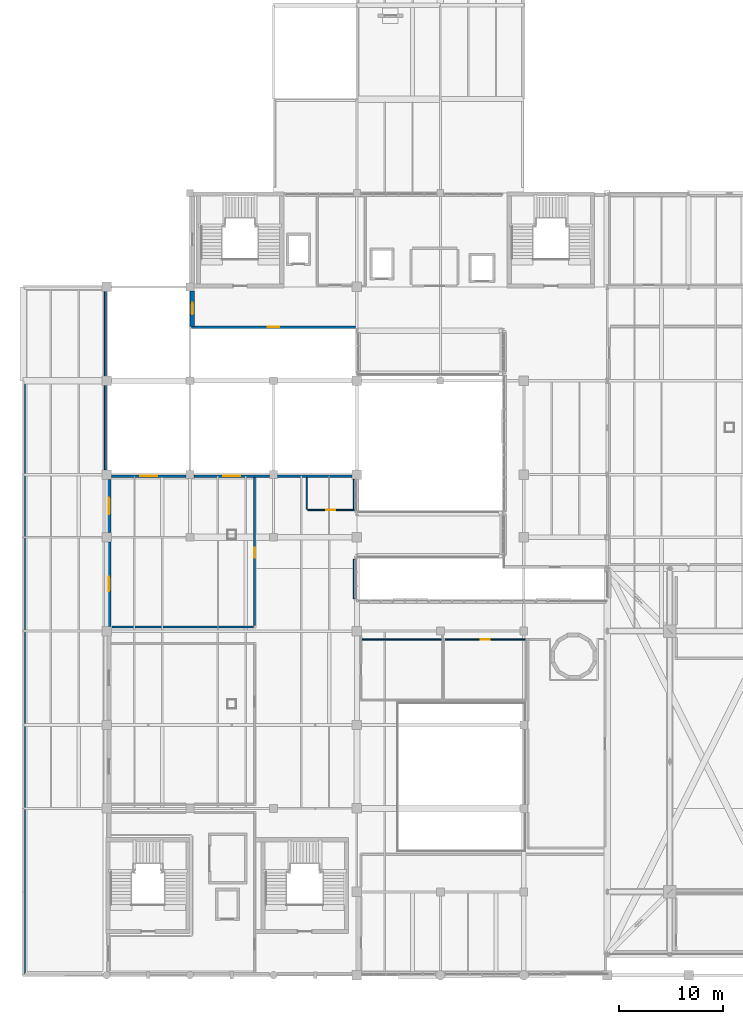
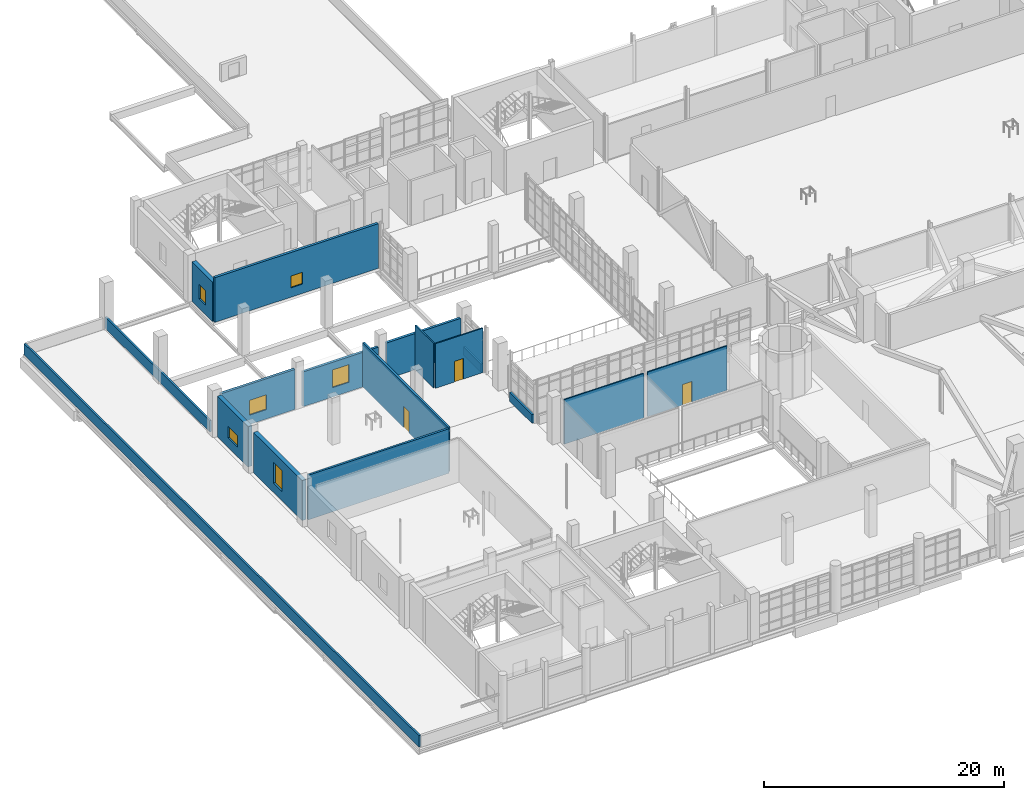
# One storey, part 111 of 127: 17 walls, 6 windows, 3 doors, 9 openings.
"""IFC4 building model written with IfcOpenShell, lengths in metres."""

from ifc_helpers import new_model, si_unit, derived_unit, direction, frame, frame_2d, origin, place, context, subcontext, project, spatial, rectangle, extrude, material, layer, layer_set, type_object, element, fill, save


model = new_model("IFC4")

# Units and contexts
model_context = context("Model", 3, precision=1e-05, world=origin(), true_north=direction((0.0, 1.0)))
body_context = subcontext(model_context, "Body", "Model", "MODEL_VIEW")
ifc_project = project(units=[si_unit("LENGTHUNIT", "METRE"), si_unit("AREAUNIT", "SQUARE_METRE"), si_unit("VOLUMEUNIT", "CUBIC_METRE"), si_unit("PLANEANGLEUNIT", "RADIAN"), si_unit("MASSUNIT", "GRAM", prefix="KILO"), derived_unit("THERMALTRANSMITTANCEUNIT", [(si_unit("POWERUNIT", "WATT"), 1), (si_unit("LENGTHUNIT", "METRE"), -2), (si_unit("THERMODYNAMICTEMPERATUREUNIT", "KELVIN"), -1)])], contexts=[model_context])

# Site, building, storey
site_placement = place(None, origin())
site = spatial("IfcSite", under=ifc_project, at=site_placement, CompositionType="ELEMENT")
building_placement = place(site_placement, origin())
building = spatial("IfcBuilding", under=site, at=building_placement, Name="Nallur Shell Playhouse", CompositionType="ELEMENT")
storey_placement = place(building_placement, frame((0.0, 0.0, 5.39990234375)))
storey = spatial("IfcBuildingStorey", under=building, at=storey_placement, Name="L02", CompositionType="ELEMENT", Elevation=5.39990234375)

# Wall, opening, window
ifc_material_1 = material(Name="Precast concrete M40", Category="concrete")
ifc_layer_1 = layer(ifc_material_1, 0.239990234375)
ifc_layer_set_1 = layer_set([ifc_layer_1], Name="Precast concrete M40")
wall_type_1 = type_object("IfcWallType", Name="WL-EXT-CLAD240", PredefinedType="ELEMENTEDWALL", material=ifc_layer_set_1)
wall_1_placement = place(storey_placement, frame((39.866943359375, 70.139892578125, 0.0), z_axis=(0.0, 0.0, 1.0), x_axis=(-1.0, 0.0, 0.0)))
wall_1 = element("IfcWall", 1, at=wall_1_placement, inside=storey, type_object=wall_type_1, Name="L02 exterior wall EW-L02-088", PredefinedType="ELEMENTEDWALL", context=body_context, shape_type="SweptSolid", body=[
    extrude(rectangle(XDim=15.737060546875, YDim=0.239990234375, at=frame_2d((7.86865234375, 0.0))), origin(), (0.0, 0.0, 1.0), 4.5400390625),
])
opening_1_placement = place(wall_1_placement, frame((7.318115234375, 0.0, 0.949951171875)))
opening_1 = element("IfcOpeningElement", 2, at=opening_1_placement, cuts=wall_1, Name="Opening WN-05", PredefinedType="OPENING", context=body_context, shape_type="SweptSolid", body=[
    extrude(rectangle(XDim=1.10009765625, YDim=1.199951171875, at=frame_2d((0.550048828125, 0.60009765625))), frame((0.0, 0.1298828125, 0.0), z_axis=(0.0, -1.0, 0.0), x_axis=(1.0, 0.0, 0.0)), (0.0, 0.0, 1.0), 0.260009765625),
])
ifc_material_2 = material(Name="Thermally Broken Aluminium Acoustic Double-Glazed Window", Category="aluminium")
window_type_1 = type_object("IfcWindowType", Name="WN-TYPE-05", PartitioningType="SINGLE_PANEL", PredefinedType="WINDOW", material=ifc_material_2)
window_1_placement = place(opening_1_placement, origin())
window_1 = element("IfcWindow", 3, at=window_1_placement, inside=storey, type_object=window_type_1, Name="L02 facade module window 037", OverallHeight=1.199951171875, OverallWidth=1.10009765625, PartitioningType="SINGLE_PANEL", PredefinedType="WINDOW", context=body_context, shape_type="SweptSolid", body=[
    extrude(rectangle(XDim=1.10009765625, YDim=1.199951171875, at=frame_2d((0.550048828125, 0.60009765625))), frame((0.0, 0.030029296875, 0.0), z_axis=(0.0, -1.0, 0.0), x_axis=(1.0, 0.0, 0.0)), (0.0, 0.0, 1.0), 0.06005859375),
])
fill(opening_1, window_1)

wall_2_placement = place(storey_placement, frame((16.4580078125, 55.860107421875, 0.0), z_axis=(0.0, 0.0, 1.0), x_axis=(1.0, 0.0, 0.0)))
wall_2 = element("IfcWall", 4, at=wall_2_placement, inside=storey, type_object=wall_type_1, Name="L02 exterior wall EW-L02-124", PredefinedType="ELEMENTEDWALL", context=body_context, shape_type="SweptSolid", body=[
    extrude(rectangle(XDim=7.158935546875, YDim=0.239990234375, at=frame_2d((3.57958984375, 0.0))), origin(), (0.0, 0.0, 1.0), 4.0751953125),
])
opening_2_placement = place(wall_2_placement, frame((2.780029296875, 0.0, 0.949951171875)))
opening_2 = element("IfcOpeningElement", 5, at=opening_2_placement, cuts=wall_2, Name="Opening WN-18", PredefinedType="OPENING", context=body_context, shape_type="SweptSolid", body=[
    extrude(rectangle(XDim=1.60009765625, YDim=1.5, at=frame_2d((0.800048828125, 0.75))), frame((0.0, 0.1298828125, 0.0), z_axis=(0.0, -1.0, 0.0), x_axis=(1.0, 0.0, 0.0)), (0.0, 0.0, 1.0), 0.260009765625),
])
window_type_2 = type_object("IfcWindowType", Name="WN-TYPE-18", PartitioningType="SINGLE_PANEL", PredefinedType="WINDOW", material=ifc_material_2)
window_2_placement = place(opening_2_placement, origin())
window_2 = element("IfcWindow", 6, at=window_2_placement, inside=storey, type_object=window_type_2, Name="L02 facade module window 050", OverallHeight=1.5, OverallWidth=1.60009765625, PartitioningType="SINGLE_PANEL", PredefinedType="WINDOW", context=body_context, shape_type="SweptSolid", body=[
    extrude(rectangle(XDim=1.60009765625, YDim=1.5, at=frame_2d((0.800048828125, 0.75))), frame((0.0, 0.030029296875, 0.0), z_axis=(0.0, -1.0, 0.0), x_axis=(1.0, 0.0, 0.0)), (0.0, 0.0, 1.0), 0.06005859375),
])
fill(opening_2, window_2)

wall_3_placement = place(storey_placement, frame((24.383056640625, 55.860107421875, 0.0), z_axis=(0.0, 0.0, 1.0), x_axis=(1.0, 0.0, 0.0)))
wall_3 = element("IfcWall", 7, at=wall_3_placement, inside=storey, type_object=wall_type_1, Name="L02 exterior wall EW-L02-125", PredefinedType="ELEMENTEDWALL", context=body_context, shape_type="SweptSolid", body=[
    extrude(rectangle(XDim=7.23388671875, YDim=0.239990234375, at=frame_2d((3.616943359375, 0.0))), origin(), (0.0, 0.0, 1.0), 3.525146484375),
])
opening_3_placement = place(wall_3_placement, frame((2.81689453125, 0.0, 0.949951171875)))
opening_3 = element("IfcOpeningElement", 8, at=opening_3_placement, cuts=wall_3, Name="Opening WN-19", PredefinedType="OPENING", context=body_context, shape_type="SweptSolid", body=[
    extrude(rectangle(XDim=1.60009765625, YDim=1.800048828125, at=frame_2d((0.800048828125, 0.89990234375))), frame((0.0, 0.1298828125, 0.0), z_axis=(0.0, -1.0, 0.0), x_axis=(1.0, 0.0, 0.0)), (0.0, 0.0, 1.0), 0.260009765625),
])
window_type_3 = type_object("IfcWindowType", Name="WN-TYPE-19", PartitioningType="SINGLE_PANEL", PredefinedType="WINDOW", material=ifc_material_2)
window_3_placement = place(opening_3_placement, origin())
window_3 = element("IfcWindow", 9, at=window_3_placement, inside=storey, type_object=window_type_3, Name="L02 facade module window 051", OverallHeight=1.800048828125, OverallWidth=1.60009765625, PartitioningType="SINGLE_PANEL", PredefinedType="WINDOW", context=body_context, shape_type="SweptSolid", body=[
    extrude(rectangle(XDim=1.60009765625, YDim=1.800048828125, at=frame_2d((0.800048828125, 0.89990234375))), frame((0.0, 0.030029296875, 0.0), z_axis=(0.0, -1.0, 0.0), x_axis=(1.0, 0.0, 0.0)), (0.0, 0.0, 1.0), 0.06005859375),
])
fill(opening_3, window_3)

# Wall
wall_4_placement = place(storey_placement, frame((32.383056640625, 55.860107421875, 0.0), z_axis=(0.0, 0.0, 1.0), x_axis=(1.0, 0.0, 0.0)))
element("IfcWall", 10, at=wall_4_placement, inside=storey, type_object=wall_type_1, Name="L02 exterior wall EW-L02-126", PredefinedType="ELEMENTEDWALL", context=body_context, shape_type="SweptSolid", body=[
    extrude(rectangle(XDim=7.158935546875, YDim=0.239990234375, at=frame_2d((3.57958984375, 0.0))), origin(), (0.0, 0.0, 1.0), 3.675048828125),
])

# Wall, opening, window
ifc_material_3 = material(Name="Concrete M40", Category="concrete")
ifc_layer_2 = layer(ifc_material_3, 0.39990234375)
ifc_layer_set_2 = layer_set([ifc_layer_2], Name="Concrete M40")
wall_type_2 = type_object("IfcWallType", Name="WL-EXT-RC400", PredefinedType="STANDARD", material=ifc_layer_set_2)
wall_5_placement = place(storey_placement, frame((24.219970703125, 70.2099609375, 0.0), z_axis=(0.0, 0.0, 1.0), x_axis=(0.0, 1.0, 0.0)))
wall_5 = element("IfcWall", 11, at=wall_5_placement, inside=storey, type_object=wall_type_2, Name="L02 exterior wall EW-L02-089", PredefinedType="STANDARD", context=body_context, shape_type="SweptSolid", body=[
    extrude(rectangle(XDim=3.406982421875, YDim=0.39990234375, at=frame_2d((1.70361328125, 0.0))), origin(), (0.0, 0.0, 1.0), 4.025146484375),
])
opening_4_placement = place(wall_5_placement, frame((1.154052734375, 0.0, 0.949951171875)))
opening_4 = element("IfcOpeningElement", 12, at=opening_4_placement, cuts=wall_5, Name="Opening WN-06", PredefinedType="OPENING", context=body_context, shape_type="SweptSolid", body=[
    extrude(rectangle(XDim=1.10009765625, YDim=1.5, at=frame_2d((0.550048828125, 0.75))), frame((0.0, 0.2099609375, 0.0), z_axis=(0.0, -1.0, 0.0), x_axis=(1.0, 0.0, 0.0)), (0.0, 0.0, 1.0), 0.419921875),
])
window_type_4 = type_object("IfcWindowType", Name="WN-TYPE-06", PartitioningType="SINGLE_PANEL", PredefinedType="WINDOW", material=ifc_material_2)
window_4_placement = place(opening_4_placement, origin())
window_4 = element("IfcWindow", 13, at=window_4_placement, inside=storey, type_object=window_type_4, Name="L02 facade module window 038", OverallHeight=1.5, OverallWidth=1.10009765625, PartitioningType="SINGLE_PANEL", PredefinedType="WINDOW", context=body_context, shape_type="SweptSolid", body=[
    extrude(rectangle(XDim=1.10009765625, YDim=1.5, at=frame_2d((0.550048828125, 0.75))), frame((0.0, 0.030029296875, 0.0), z_axis=(0.0, -1.0, 0.0), x_axis=(1.0, 0.0, 0.0)), (0.0, 0.0, 1.0), 0.06005859375),
])
fill(opening_4, window_4)

wall_6_placement = place(storey_placement, frame((16.219970703125, 41.4580078125, 0.0), z_axis=(0.0, 0.0, 1.0), x_axis=(0.0, 1.0, 0.0)))
wall_6 = element("IfcWall", 14, at=wall_6_placement, inside=storey, type_object=wall_type_2, Name="L02 exterior wall EW-L02-122", PredefinedType="STANDARD", context=body_context, shape_type="SweptSolid", body=[
    extrude(rectangle(XDim=8.083984375, YDim=0.39990234375, at=frame_2d((4.0419921875, 0.0))), origin(), (0.0, 0.0, 1.0), 4.0751953125),
])
opening_5_placement = place(wall_6_placement, frame((3.342041015625, 0.0, 0.949951171875)))
opening_5 = element("IfcOpeningElement", 15, at=opening_5_placement, cuts=wall_6, Name="Opening WN-16", PredefinedType="OPENING", context=body_context, shape_type="SweptSolid", body=[
    extrude(rectangle(XDim=1.39990234375, YDim=2.10009765625, at=frame_2d((0.699951171875, 1.050048828125))), frame((0.0, 0.2099609375, 0.0), z_axis=(0.0, -1.0, 0.0), x_axis=(1.0, 0.0, 0.0)), (0.0, 0.0, 1.0), 0.419921875),
])
window_type_5 = type_object("IfcWindowType", Name="WN-TYPE-16", PartitioningType="SINGLE_PANEL", PredefinedType="WINDOW", material=ifc_material_2)
window_5_placement = place(opening_5_placement, origin())
window_5 = element("IfcWindow", 16, at=window_5_placement, inside=storey, type_object=window_type_5, Name="L02 facade module window 048", OverallHeight=2.10009765625, OverallWidth=1.39990234375, PartitioningType="SINGLE_PANEL", PredefinedType="WINDOW", context=body_context, shape_type="SweptSolid", body=[
    extrude(rectangle(XDim=1.39990234375, YDim=2.10009765625, at=frame_2d((0.699951171875, 1.050048828125))), frame((0.0, 0.030029296875, 0.0), z_axis=(0.0, -1.0, 0.0), x_axis=(1.0, 0.0, 0.0)), (0.0, 0.0, 1.0), 0.06005859375),
])
fill(opening_5, window_5)

wall_7_placement = place(storey_placement, frame((16.219970703125, 50.4580078125, 0.0), z_axis=(0.0, 0.0, 1.0), x_axis=(0.0, 1.0, 0.0)))
wall_7 = element("IfcWall", 17, at=wall_7_placement, inside=storey, type_object=wall_type_2, Name="L02 exterior wall EW-L02-123", PredefinedType="STANDARD", context=body_context, shape_type="SweptSolid", body=[
    extrude(rectangle(XDim=5.083984375, YDim=0.39990234375, at=frame_2d((2.5419921875, 0.0))), origin(), (0.0, 0.0, 1.0), 4.125),
])
opening_6_placement = place(wall_7_placement, frame((1.741943359375, 0.0, 0.949951171875)))
opening_6 = element("IfcOpeningElement", 18, at=opening_6_placement, cuts=wall_7, Name="Opening WN-17", PredefinedType="OPENING", context=body_context, shape_type="SweptSolid", body=[
    extrude(rectangle(XDim=1.60009765625, YDim=1.199951171875, at=frame_2d((0.800048828125, 0.60009765625))), frame((0.0, 0.2099609375, 0.0), z_axis=(0.0, -1.0, 0.0), x_axis=(1.0, 0.0, 0.0)), (0.0, 0.0, 1.0), 0.419921875),
])
window_type_6 = type_object("IfcWindowType", Name="WN-TYPE-17", PartitioningType="SINGLE_PANEL", PredefinedType="WINDOW", material=ifc_material_2)
window_6_placement = place(opening_6_placement, origin())
window_6 = element("IfcWindow", 19, at=window_6_placement, inside=storey, type_object=window_type_6, Name="L02 facade module window 049", OverallHeight=1.199951171875, OverallWidth=1.60009765625, PartitioningType="SINGLE_PANEL", PredefinedType="WINDOW", context=body_context, shape_type="SweptSolid", body=[
    extrude(rectangle(XDim=1.60009765625, YDim=1.199951171875, at=frame_2d((0.800048828125, 0.60009765625))), frame((0.0, 0.030029296875, 0.0), z_axis=(0.0, -1.0, 0.0), x_axis=(1.0, 0.0, 0.0)), (0.0, 0.0, 1.0), 0.06005859375),
])
fill(opening_6, window_6)

# Walls
ifc_material_4 = material(Name="Concrete M35", Category="concrete")
ifc_layer_3 = layer(ifc_material_4, 0.179931640625)
ifc_layer_set_3 = layer_set([ifc_layer_3], Name="Concrete M35")
wall_type_3 = type_object("IfcWallType", Name="WL-PARAPET-180", PredefinedType="PARAPET", material=ifc_layer_set_3)
wall_8_placement = place(storey_placement, frame((39.760009765625, 47.8798828125, 0.0), z_axis=(0.0, 0.0, 1.0), x_axis=(0.0, -1.0, 0.0)))
element("IfcWall", 20, at=wall_8_placement, inside=storey, type_object=wall_type_3, Name="L02 curtain-wall internal spandrel upstand 003", PredefinedType="PARAPET", context=body_context, shape_type="SweptSolid", body=[
    extrude(rectangle(XDim=3.759765625, YDim=0.179931640625, at=frame_2d((1.8798828125, 0.0))), origin(), (0.0, 0.0, 1.0), 0.880126953125),
])
wall_9_placement = place(storey_placement, frame((39.760009765625, 55.5400390625, 0.0), z_axis=(0.0, 0.0, 1.0), x_axis=(0.0, -1.0, 0.0)))
element("IfcWall", 21, at=wall_9_placement, inside=storey, type_object=wall_type_3, Name="L02 curtain-wall internal spandrel upstand 024", PredefinedType="PARAPET", context=body_context, shape_type="SweptSolid", body=[
    extrude(rectangle(XDim=2.919921875, YDim=0.179931640625, at=frame_2d((1.4599609375, 0.0))), origin(), (0.0, 0.0, 1.0), 0.880126953125),
])
wall_10_placement = place(storey_placement, frame((8.110107421875, 8.1298828125, 0.0), z_axis=(0.0, 0.0, 1.0), x_axis=(0.0, 1.0, 0.0)))
element("IfcWall", 22, at=wall_10_placement, inside=storey, type_object=wall_type_3, Name="L02 concrete roof parapet PAR-007", PredefinedType="PARAPET", context=body_context, shape_type="SweptSolid", body=[
    extrude(rectangle(XDim=65.740234375, YDim=0.179931640625, at=frame_2d((32.8701171875, 0.0))), origin(), (0.0, 0.0, 1.0), 1.150146484375),
])
wall_11_placement = place(storey_placement, frame((15.889892578125, 73.8701171875, 0.0), z_axis=(0.0, 0.0, 1.0), x_axis=(0.0, -1.0, 0.0)))
element("IfcWall", 23, at=wall_11_placement, inside=storey, type_object=wall_type_3, Name="L02 concrete roof parapet PAR-009", PredefinedType="PARAPET", context=body_context, shape_type="SweptSolid", body=[
    extrude(rectangle(XDim=17.434326171875, YDim=0.179931640625, at=frame_2d((8.71728515625, 0.0))), origin(), (0.0, 0.0, 1.0), 1.150146484375),
])

# Wall, opening, door
ifc_material_5 = material(Name="Concrete M30", Category="concrete")
ifc_layer_4 = layer(ifc_material_5, 0.199951171875)
ifc_layer_set_4 = layer_set([ifc_layer_4], Name="Concrete M30")
wall_type_4 = type_object("IfcWallType", Name="WL-PART-AC200", PredefinedType="PARTITIONING", material=ifc_layer_set_4)
wall_12_placement = place(storey_placement, frame((30.199951171875, 55.736083984375, 0.0), z_axis=(0.0, 0.0, 1.0), x_axis=(0.0, -1.0, 0.0)))
wall_12 = element("IfcWall", 24, at=wall_12_placement, inside=storey, type_object=wall_type_4, Name="Ensemble Chorus Dressing Room B partition IW-L02-0164", PredefinedType="PARTITIONING", context=body_context, shape_type="SweptSolid", body=[
    extrude(rectangle(XDim=14.216064453125, YDim=0.199951171875, at=frame_2d((7.10791015625, 0.0))), origin(), (0.0, 0.0, 1.0), 4.530029296875),
])
opening_7_placement = place(wall_12_placement, frame((6.760986328125, 0.0, 0.0)))
opening_7 = element("IfcOpeningElement", 25, at=opening_7_placement, cuts=wall_12, Name="Opening ID-04", PredefinedType="OPENING", context=body_context, shape_type="SweptSolid", body=[
    extrude(rectangle(XDim=0.949951171875, YDim=2.14990234375, at=frame_2d((0.47509765625, 1.074951171875))), frame((0.0, 0.10986328125, 0.0), z_axis=(0.0, -1.0, 0.0), x_axis=(1.0, 0.0, 0.0)), (0.0, 0.0, 1.0), 0.219970703125),
])
ifc_material_6 = material(Name="Solid-Core Engineered Timber Door", Category="wood")
door_type_1 = type_object("IfcDoorType", Name="DR-INT-SGL950R", OperationType="SINGLE_SWING_RIGHT", PredefinedType="DOOR", material=ifc_material_6)
door_1_placement = place(opening_7_placement, origin())
door_1 = element("IfcDoor", 26, at=door_1_placement, inside=storey, type_object=door_type_1, Name="Ensemble Chorus Dressing Room B door 1", OperationType="SINGLE_SWING_RIGHT", OverallHeight=2.14990234375, OverallWidth=0.949951171875, PredefinedType="DOOR", context=body_context, shape_type="SweptSolid", body=[
    extrude(rectangle(XDim=0.949951171875, YDim=2.14990234375, at=frame_2d((0.47509765625, 1.074951171875))), frame((0.0, 0.02490234375, 0.0), z_axis=(0.0, -1.0, 0.0), x_axis=(1.0, 0.0, 0.0)), (0.0, 0.0, 1.0), 0.050048828125),
])
fill(opening_7, door_1)

# Walls
wall_13_placement = place(storey_placement, frame((30.080078125, 41.39990234375, 0.0), z_axis=(0.0, 0.0, 1.0), x_axis=(-1.0, 0.0, 0.0)))
element("IfcWall", 27, at=wall_13_placement, inside=storey, type_object=wall_type_4, Name="Ensemble Chorus Dressing Room B partition IW-L02-0165", PredefinedType="PARTITIONING", context=body_context, shape_type="SweptSolid", body=[
    extrude(rectangle(XDim=13.56005859375, YDim=0.199951171875, at=frame_2d((6.780029296875, 0.0))), origin(), (0.0, 0.0, 1.0), 4.530029296875),
])
ifc_material_7 = material(Name="Concrete M25 Fire Blockwork", Category="masonry")
ifc_layer_5 = layer(ifc_material_7, 0.1201171875)
ifc_layer_set_5 = layer_set([ifc_layer_5], Name="Concrete M25 Fire Blockwork")
wall_type_5 = type_object("IfcWallType", Name="WL-PART-WET120", PredefinedType="PARTITIONING", material=ifc_layer_set_5)
wall_14_placement = place(storey_placement, frame((40.47998046875, 40.199951171875, 0.0), z_axis=(0.0, 0.0, 1.0), x_axis=(1.0, 0.0, 0.0)))
element("IfcWall", 28, at=wall_14_placement, inside=storey, type_object=wall_type_5, Name="Stalls Level Male Restroom partition IW-L02-0189", PredefinedType="PARTITIONING", context=body_context, shape_type="SweptSolid", body=[
    extrude(rectangle(XDim=7.64013671875, YDim=0.1201171875, at=frame_2d((3.820068359375, 0.0))), origin(), (0.0, 0.0, 1.0), 4.530029296875),
])

# Wall, opening, door
wall_15_placement = place(storey_placement, frame((48.47998046875, 40.199951171875, 0.0), z_axis=(0.0, 0.0, 1.0), x_axis=(1.0, 0.0, 0.0)))
wall_15 = element("IfcWall", 29, at=wall_15_placement, inside=storey, type_object=wall_type_5, Name="Stalls Level Female Restroom partition IW-L02-0193", PredefinedType="PARTITIONING", context=body_context, shape_type="SweptSolid", body=[
    extrude(rectangle(XDim=7.64013671875, YDim=0.1201171875, at=frame_2d((3.820068359375, 0.0))), origin(), (0.0, 0.0, 1.0), 4.530029296875),
])
opening_8_placement = place(wall_15_placement, frame((3.3798828125, 0.0, 0.0)))
opening_8 = element("IfcOpeningElement", 30, at=opening_8_placement, cuts=wall_15, Name="Opening WD-01", PredefinedType="OPENING", context=body_context, shape_type="SweptSolid", body=[
    extrude(rectangle(XDim=0.8798828125, YDim=2.10009765625, at=frame_2d((0.43994140625, 1.050048828125))), frame((0.0, 0.070068359375, 0.0), z_axis=(0.0, -1.0, 0.0), x_axis=(1.0, 0.0, 0.0)), (0.0, 0.0, 1.0), 0.14013671875),
])
ifc_material_8 = material(Name="Moisture-Resistant Laminate Restroom Door")
door_type_2 = type_object("IfcDoorType", Name="DR-INT-WC880L", OperationType="SINGLE_SWING_LEFT", PredefinedType="DOOR", material=ifc_material_8)
door_2_placement = place(opening_8_placement, origin())
door_2 = element("IfcDoor", 31, at=door_2_placement, inside=storey, type_object=door_type_2, Name="Stalls Level Female Restroom door 1", OperationType="SINGLE_SWING_LEFT", OverallHeight=2.10009765625, OverallWidth=0.8798828125, PredefinedType="DOOR", context=body_context, shape_type="SweptSolid", body=[
    extrude(rectangle(XDim=0.8798828125, YDim=2.10009765625, at=frame_2d((0.43994140625, 1.050048828125))), frame((0.0, 0.02490234375, 0.0), z_axis=(0.0, -1.0, 0.0), x_axis=(1.0, 0.0, 0.0)), (0.0, 0.0, 1.0), 0.050048828125),
])
fill(opening_8, door_2)

wall_16_placement = place(storey_placement, frame((39.825927734375, 52.60009765625, 0.0), z_axis=(0.0, 0.0, 1.0), x_axis=(-1.0, 0.0, 0.0)))
wall_16 = element("IfcWall", 32, at=wall_16_placement, inside=storey, type_object=wall_type_5, Name="Stalls Level Accessible Restroom partition IW-L02-0195", PredefinedType="PARTITIONING", context=body_context, shape_type="SweptSolid", body=[
    extrude(rectangle(XDim=4.5458984375, YDim=0.1201171875, at=frame_2d((2.27294921875, 0.0))), origin(), (0.0, 0.0, 1.0), 4.530029296875),
])
opening_9_placement = place(wall_16_placement, frame((1.885986328125, 0.0, 0.0)))
opening_9 = element("IfcOpeningElement", 33, at=opening_9_placement, cuts=wall_16, Name="Opening WD-02", PredefinedType="OPENING", context=body_context, shape_type="SweptSolid", body=[
    extrude(rectangle(XDim=0.8798828125, YDim=2.10009765625, at=frame_2d((0.43994140625, 1.050048828125))), frame((0.0, 0.070068359375, 0.0), z_axis=(0.0, -1.0, 0.0), x_axis=(1.0, 0.0, 0.0)), (0.0, 0.0, 1.0), 0.14013671875),
])
door_type_3 = type_object("IfcDoorType", Name="DR-INT-WC880R", OperationType="SINGLE_SWING_RIGHT", PredefinedType="DOOR", material=ifc_material_8)
door_3_placement = place(opening_9_placement, origin())
door_3 = element("IfcDoor", 34, at=door_3_placement, inside=storey, type_object=door_type_3, Name="Stalls Level Accessible Restroom door 1", OperationType="SINGLE_SWING_RIGHT", OverallHeight=2.10009765625, OverallWidth=0.8798828125, PredefinedType="DOOR", context=body_context, shape_type="SweptSolid", body=[
    extrude(rectangle(XDim=0.8798828125, YDim=2.10009765625, at=frame_2d((0.43994140625, 1.050048828125))), frame((0.0, 0.02490234375, 0.0), z_axis=(0.0, -1.0, 0.0), x_axis=(1.0, 0.0, 0.0)), (0.0, 0.0, 1.0), 0.050048828125),
])
fill(opening_9, door_3)

# Wall
wall_17_placement = place(storey_placement, frame((35.199951171875, 52.679931640625, 0.0), z_axis=(0.0, 0.0, 1.0), x_axis=(0.0, 1.0, 0.0)))
element("IfcWall", 35, at=wall_17_placement, inside=storey, type_object=wall_type_5, Name="Stalls Level Accessible Restroom partition IW-L02-0196", PredefinedType="PARTITIONING", context=body_context, shape_type="SweptSolid", body=[
    extrude(rectangle(XDim=3.05615234375, YDim=0.1201171875, at=frame_2d((1.528076171875, 0.0))), origin(), (0.0, 0.0, 1.0), 4.530029296875),
])

save(model, "model.ifc")
